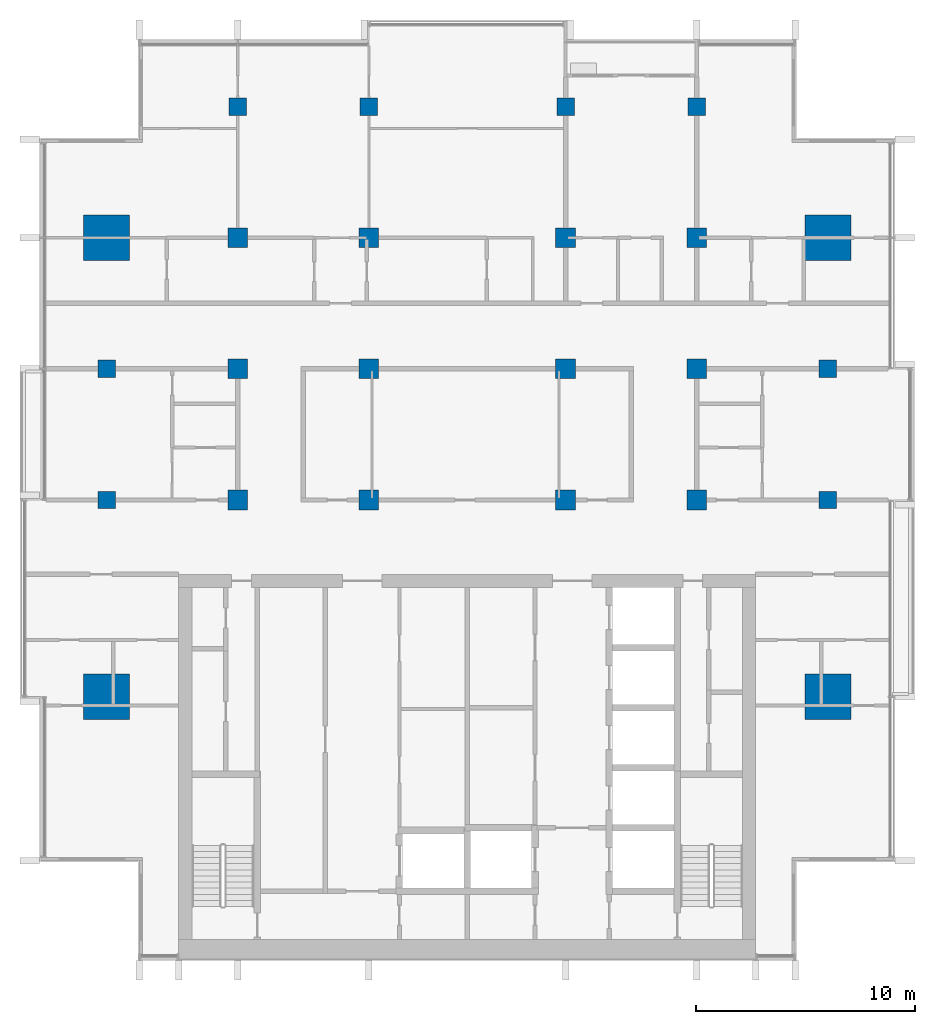
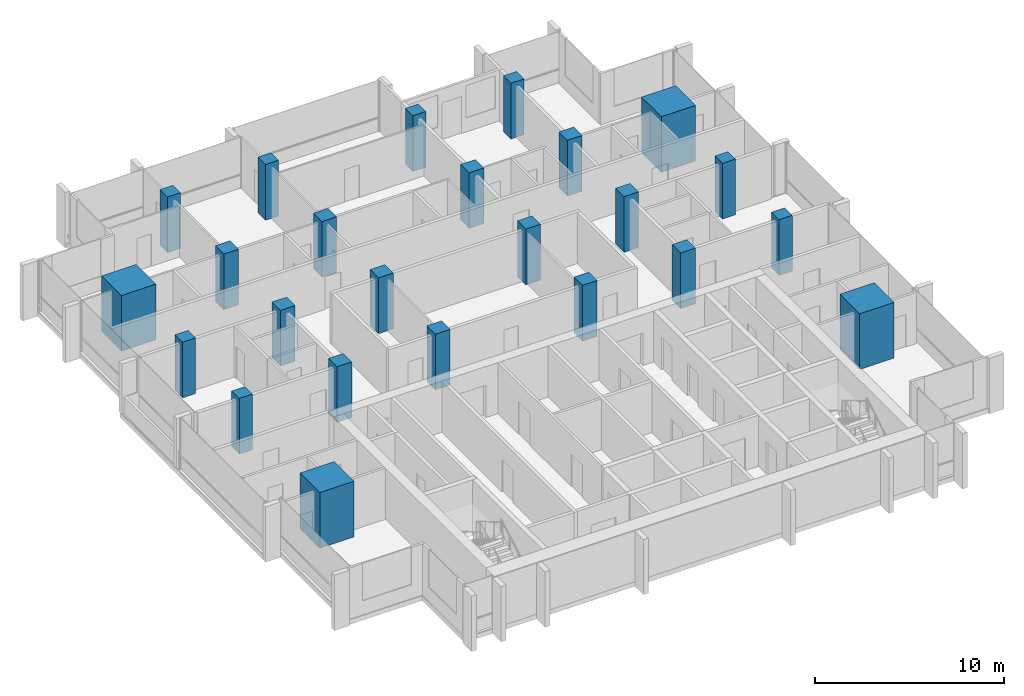
# One storey, part 1 of 16: 24 columns.
"""IFC4 building model written with IfcOpenShell, lengths in metres."""

import ifcopenshell
import ifcopenshell.guid

model = None  # the IFC model being written
_history = None  # IfcOwnerHistory: only IFC2X3 demands one
_inside = {}  # id of a spatial element -> (the spatial element, [elements in it])
_under = {}  # id of a project, library or spatial element -> (it, [spatial elements below it])
_declared = {}  # id of a project -> (the project, [libraries it declares])
_typed = {}  # id of a type object -> (the type object, [elements of that type])
_made_of = {}  # id of a material, layer set ... -> (it, [elements and type objects made of it])


def new_model(schema):
    """Start an empty IFC model of exactly this schema.

    Asked for "IFC4X3", IfcOpenShell would pick the latest addendum, in which some entities
    have other attributes; the version numbers below select the first issue.
    IFC2X3 requires an IfcOwnerHistory on every rooted entity: one is made here for all.
    """
    global model, _history
    if schema == "IFC4X3":
        model = ifcopenshell.file(schema_version=(4, 3, 0, 0))
    else:
        model = ifcopenshell.file(schema=schema)
    _inside.clear()
    _under.clear()
    _declared.clear()
    _typed.clear()
    _made_of.clear()
    _history = None
    if model.schema == "IFC2X3":
        org = make("IfcOrganization", Name="unknown")
        user = make(
            "IfcPersonAndOrganization",
            ThePerson=make("IfcPerson", FamilyName="unknown"),
            TheOrganization=org,
        )
        app = make(
            "IfcApplication",
            ApplicationDeveloper=org,
            Version="unknown",
            ApplicationFullName="unknown",
            ApplicationIdentifier="unknown",
        )
        _history = make(
            "IfcOwnerHistory",
            OwningUser=user,
            OwningApplication=app,
            ChangeAction="ADDED",
            CreationDate=0,
        )
    return model


def make(cls, **values):
    """One entity of the class cls with the attributes given. An attribute that is None is left unset."""
    return model.create_entity(
        cls, **{name: value for name, value in values.items() if value is not None}
    )


def rooted(cls, **values):
    """An entity with a GlobalId (a new one), such as an element, a storey or a relation."""
    return make(cls, GlobalId=ifcopenshell.guid.new(), OwnerHistory=_history, **values)


def si_unit(unit_type, name, prefix=None):
    """IfcSIUnit, for example si_unit("LENGTHUNIT", "METRE", prefix="MILLI")."""
    return make("IfcSIUnit", UnitType=unit_type, Prefix=prefix, Name=name)


def assignment(units):
    """IfcUnitAssignment: the units of a project."""
    return None if units is None else make("IfcUnitAssignment", Units=units)


def point(xyz):
    """IfcCartesianPoint."""
    return None if xyz is None else make("IfcCartesianPoint", Coordinates=xyz)


def direction(xyz):
    """IfcDirection."""
    return None if xyz is None else make("IfcDirection", DirectionRatios=xyz)


def frame(location, z_axis=None, x_axis=None):
    """IfcAxis2Placement3D, a coordinate frame: its origin and axes. An axis left out is left unset."""
    return make(
        "IfcAxis2Placement3D",
        Location=point(location),
        Axis=direction(z_axis),
        RefDirection=direction(x_axis),
    )


def frame_2d(location, x_axis=None):
    """IfcAxis2Placement2D, a coordinate frame in the plane: its origin and x axis."""
    return make(
        "IfcAxis2Placement2D", Location=point(location), RefDirection=direction(x_axis)
    )


def origin():
    """The frame at (0, 0, 0) with its axes left unset."""
    return frame((0.0, 0.0, 0.0))


def origin_2d():
    """The frame at (0, 0) in the plane with its x axis left unset."""
    return frame_2d((0.0, 0.0))


def place(relative_to, where):
    """IfcLocalPlacement: puts the frame where relative to a parent placement (None: the world)."""
    return make(
        "IfcLocalPlacement", PlacementRelTo=relative_to, RelativePlacement=where
    )


def context(
    kind, dimensions, precision=None, world=None, true_north=None, identifier=None
):
    """IfcGeometricRepresentationContext, for example the 3D "Model" context."""
    return make(
        "IfcGeometricRepresentationContext",
        ContextIdentifier=identifier,
        ContextType=kind,
        CoordinateSpaceDimension=dimensions,
        Precision=precision,
        WorldCoordinateSystem=world,
        TrueNorth=true_north,
    )


def subcontext(parent, identifier, kind, view, scale=None):
    """IfcGeometricRepresentationSubContext, for example "Body" below "Model"."""
    return make(
        "IfcGeometricRepresentationSubContext",
        ContextIdentifier=identifier,
        ContextType=kind,
        ParentContext=parent,
        TargetScale=scale,
        TargetView=view,
    )


def project(units=None, contexts=None):
    """IfcProject with its units and contexts."""
    return rooted(
        "IfcProject",
        Name="project",
        RepresentationContexts=contexts,
        UnitsInContext=assignment(units),
    )


def spatial(cls, under=None, at=None, **own):
    """A site, building, storey or space (cls), placed at a placement, below another one or the project."""
    s = rooted(cls, ObjectPlacement=at, **own)
    if under is not None:
        _under.setdefault(under.id(), (under, []))[1].append(s)
    return s


def profile(cls, at=None, kind="AREA", **sizes):
    """A parametric profile (cls). Its sizes go by their IFC names, for example OverallWidth=200.0."""
    return make(cls, ProfileType=kind, Position=at, **sizes)


def rectangle(**sizes):
    """IfcRectangleProfileDef."""
    return profile("IfcRectangleProfileDef", **sizes)


def extrude(swept, where, along, depth):
    """IfcExtrudedAreaSolid: the profile swept, set in the frame where, extruded along a direction by depth."""
    return make(
        "IfcExtrudedAreaSolid",
        SweptArea=swept,
        Position=where,
        ExtrudedDirection=direction(along),
        Depth=depth,
    )


def shape(context_of_items, identifier, shape_type, items):
    """IfcShapeRepresentation: the items that make up one representation, for example the "Body"."""
    return make(
        "IfcShapeRepresentation",
        ContextOfItems=context_of_items,
        RepresentationIdentifier=identifier,
        RepresentationType=shape_type,
        Items=items,
    )


def material(Name=None, Category=None):
    """IfcMaterial."""
    return make("IfcMaterial", Name=Name, Category=Category)


def material_profile(
    of_material, cross_section, Name=None, Category=None, Priority=None
):
    """IfcMaterialProfile: a cross section and its material."""
    return make(
        "IfcMaterialProfile",
        Name=Name,
        Material=of_material,
        Profile=cross_section,
        Priority=Priority,
        Category=Category,
    )


def profile_set(profiles, Name=None, composite=None):
    """IfcMaterialProfileSet."""
    return make(
        "IfcMaterialProfileSet",
        Name=Name,
        MaterialProfiles=profiles,
        CompositeProfile=composite,
    )


def made_of(thing, what):
    """Note that an element or type object is made of a material, layer set ...; save() writes the relation."""
    if what is not None:
        _made_of.setdefault(what.id(), (what, []))[1].append(thing)
    return thing


def type_object(cls, material=None, **own):
    """A type object (cls), such as IfcWallType, which elements share."""
    return made_of(rooted(cls, **own), material)


def element(
    cls,
    number,
    at=None,
    inside=None,
    cuts=None,
    type_object=None,
    material=None,
    context=None,
    identifier="Body",
    shape_type=None,
    held_by="IfcProductDefinitionShape",
    body=None,
    shapes=None,
    **own,
):
    """One element of the class cls, such as IfcWall. Its Tag is "e" and its number.

    at: its placement. inside: the storey or other place that contains it. cuts: it is an
    opening in that element (IfcRelVoidsElement). A single representation is given by context,
    identifier, shape_type and body (its items); several are given by shapes. held_by: the class
    of the entity that holds the representations. save() writes the other relations.
    """
    e = rooted(cls, Tag="e%d" % number, ObjectPlacement=at, **own)
    if body is not None:
        shapes = [shape(context, identifier, shape_type, body)]
    if shapes is not None:
        e.Representation = make(held_by, Representations=shapes)
    if inside is not None:
        _inside.setdefault(inside.id(), (inside, []))[1].append(e)
    if cuts is not None:
        rooted(
            "IfcRelVoidsElement", RelatingBuildingElement=cuts, RelatedOpeningElement=e
        )
    if type_object is not None:
        _typed.setdefault(type_object.id(), (type_object, []))[1].append(e)
    return made_of(e, material)


def aggregate(whole, parts):
    """IfcRelAggregates: a whole, such as a stair, and the parts it consists of."""
    return rooted("IfcRelAggregates", RelatingObject=whole, RelatedObjects=parts)


def save(model, path):
    """Write the relations noted so far, then the file.

    IfcRelAggregates (storeys below a building ...), IfcRelContainedInSpatialStructure (elements
    in a storey), IfcRelDefinesByType, IfcRelAssociatesMaterial and IfcRelDeclares: one each for
    every whole, place, type object, material and project.
    """
    for whole, parts in _under.values():
        aggregate(whole, parts)
    for where, things in _inside.values():
        rooted(
            "IfcRelContainedInSpatialStructure",
            RelatedElements=things,
            RelatingStructure=where,
        )
    for kind, things in _typed.values():
        rooted("IfcRelDefinesByType", RelatedObjects=things, RelatingType=kind)
    for what, things in _made_of.values():
        rooted("IfcRelAssociatesMaterial", RelatedObjects=things, RelatingMaterial=what)
    for by, libraries in _declared.values():
        rooted("IfcRelDeclares", RelatingContext=by, RelatedDefinitions=libraries)
    model.write(path)


model = new_model("IFC4")

# Units and contexts
model_context = context("Model", 3, precision=1e-05, world=origin(), true_north=direction((0.0, 1.0)))
body_context = subcontext(model_context, "Body", "Model", "MODEL_VIEW")
ifc_project = project(units=[si_unit("LENGTHUNIT", "METRE"), si_unit("AREAUNIT", "SQUARE_METRE"), si_unit("VOLUMEUNIT", "CUBIC_METRE"), si_unit("PLANEANGLEUNIT", "RADIAN"), si_unit("MASSUNIT", "GRAM", prefix="KILO")], contexts=[model_context])

# Site, building, storey
site_placement = place(None, origin())
site = spatial("IfcSite", under=ifc_project, at=site_placement, CompositionType="ELEMENT")
building_placement = place(site_placement, origin())
building = spatial("IfcBuilding", under=site, at=building_placement, Name="Finial Court Residences", CompositionType="ELEMENT")
storey_placement = place(building_placement, frame((0.0, 0.0, 241.10009765625)))
storey = spatial("IfcBuildingStorey", under=building, at=storey_placement, Name="L61", CompositionType="ELEMENT", Elevation=241.10009765625)

# Columns
ifc_material = material(Name="Concrete C50/60", Category="concrete")
ifc_material_profile_1 = material_profile(ifc_material, rectangle(XDim=0.89990234375, YDim=0.89990234375, at=origin_2d()), Name="900x900")
ifc_profile_set_1 = profile_set([ifc_material_profile_1], Name="Concrete C50/60")
column_type_1 = type_object("IfcColumnType", Name="Interior column 900x900 Concrete C50/60", PredefinedType="COLUMN", material=ifc_profile_set_1)
for number, where, z_axis, x_axis, name in (
    (1, (-10.5, -4.5, 0.0), (0.0, 0.0, 1.0), (1.0, 0.0, 0.0), "S:COL:L61:D4"),
    (2, (-10.5, 1.5, 0.0), (0.0, 0.0, 1.0), (1.0, 0.0, 0.0), "S:COL:L61:D5"),
    (3, (-10.5, 7.5, 0.0), (0.0, 0.0, 1.0), (1.0, 0.0, 0.0), "S:COL:L61:D6"),
    (4, (-4.5, -4.5, 0.0), (0.0, 0.0, 1.0), (1.0, 0.0, 0.0), "S:COL:L61:E4"),
    (5, (-4.5, 1.5, 0.0), (0.0, 0.0, 1.0), (1.0, 0.0, 0.0), "S:COL:L61:E5"),
    (6, (-4.5, 7.5, 0.0), (0.0, 0.0, 1.0), (1.0, 0.0, 0.0), "S:COL:L61:E6"),
    (7, (4.5, -4.5, 0.0), (0.0, 0.0, 1.0), (1.0, 0.0, 0.0), "S:COL:L61:F4"),
    (8, (4.5, 1.5, 0.0), (0.0, 0.0, 1.0), (1.0, 0.0, 0.0), "S:COL:L61:F5"),
    (9, (4.5, 7.5, 0.0), (0.0, 0.0, 1.0), (1.0, 0.0, 0.0), "S:COL:L61:F6"),
    (10, (10.5, -4.5, 0.0), (0.0, 0.0, 1.0), (1.0, 0.0, 0.0), "S:COL:L61:G4"),
    (11, (10.5, 1.5, 0.0), (0.0, 0.0, 1.0), (1.0, 0.0, 0.0), "S:COL:L61:G5"),
    (12, (10.5, 7.5, 0.0), (0.0, 0.0, 1.0), (1.0, 0.0, 0.0), "S:COL:L61:G6"),
):
    element("IfcColumn", number, at=place(storey_placement, frame(where, z_axis=z_axis, x_axis=x_axis)), inside=storey, type_object=column_type_1, Name=name, PredefinedType="COLUMN", context=body_context, shape_type="SweptSolid", body=[
        extrude(rectangle(XDim=0.89990234375, YDim=0.89990234375, at=origin_2d()), origin(), (0.0, 0.0, 1.0), 3.599853515625),
    ])
ifc_material_profile_2 = material_profile(ifc_material, rectangle(XDim=2.10009765625, YDim=2.10009765625, at=origin_2d()), Name="2100x2100")
ifc_profile_set_2 = profile_set([ifc_material_profile_2], Name="Concrete C50/60")
column_type_2 = type_object("IfcColumnType", Name="Mega column 2100x2100 Concrete C50/60", PredefinedType="COLUMN", material=ifc_profile_set_2)
for number, where, z_axis, x_axis, name in (
    (13, (-16.5, -13.5, 0.0), (0.0, 0.0, 1.0), (1.0, 0.0, 0.0), "S:COL:L61:C3"),
    (14, (-16.5, 7.5, 0.0), (0.0, 0.0, 1.0), (1.0, 0.0, 0.0), "S:COL:L61:C6"),
    (15, (16.5, -13.5, 0.0), (0.0, 0.0, 1.0), (1.0, 0.0, 0.0), "S:COL:L61:H3"),
    (16, (16.5, 7.5, 0.0), (0.0, 0.0, 1.0), (1.0, 0.0, 0.0), "S:COL:L61:H6"),
):
    element("IfcColumn", number, at=place(storey_placement, frame(where, z_axis=z_axis, x_axis=x_axis)), inside=storey, type_object=column_type_2, Name=name, PredefinedType="COLUMN", context=body_context, shape_type="SweptSolid", body=[
        extrude(rectangle(XDim=2.10009765625, YDim=2.10009765625, at=origin_2d()), origin(), (0.0, 0.0, 1.0), 3.599853515625),
    ])
ifc_material_profile_3 = material_profile(ifc_material, rectangle(XDim=0.800048828125, YDim=0.800048828125, at=origin_2d()), Name="800x800")
ifc_profile_set_3 = profile_set([ifc_material_profile_3], Name="Concrete C50/60")
column_type_3 = type_object("IfcColumnType", Name="Perimeter column 800x800 Concrete C50/60", PredefinedType="COLUMN", material=ifc_profile_set_3)
for number, where, z_axis, x_axis, name in (
    (17, (-16.5, -4.5, 0.0), (0.0, 0.0, 1.0), (1.0, 0.0, 0.0), "S:COL:L61:C4"),
    (18, (-16.5, 1.5, 0.0), (0.0, 0.0, 1.0), (1.0, 0.0, 0.0), "S:COL:L61:C5"),
    (19, (-10.5, 13.5, 0.0), (0.0, 0.0, 1.0), (1.0, 0.0, 0.0), "S:COL:L61:D7"),
    (20, (-4.5, 13.5, 0.0), (0.0, 0.0, 1.0), (1.0, 0.0, 0.0), "S:COL:L61:E7"),
    (21, (4.5, 13.5, 0.0), (0.0, 0.0, 1.0), (1.0, 0.0, 0.0), "S:COL:L61:F7"),
    (22, (10.5, 13.5, 0.0), (0.0, 0.0, 1.0), (1.0, 0.0, 0.0), "S:COL:L61:G7"),
    (23, (16.5, -4.5, 0.0), (0.0, 0.0, 1.0), (1.0, 0.0, 0.0), "S:COL:L61:H4"),
    (24, (16.5, 1.5, 0.0), (0.0, 0.0, 1.0), (1.0, 0.0, 0.0), "S:COL:L61:H5"),
):
    element("IfcColumn", number, at=place(storey_placement, frame(where, z_axis=z_axis, x_axis=x_axis)), inside=storey, type_object=column_type_3, Name=name, PredefinedType="COLUMN", context=body_context, shape_type="SweptSolid", body=[
        extrude(rectangle(XDim=0.800048828125, YDim=0.800048828125, at=origin_2d()), origin(), (0.0, 0.0, 1.0), 3.599853515625),
    ])

save(model, "model.ifc")
